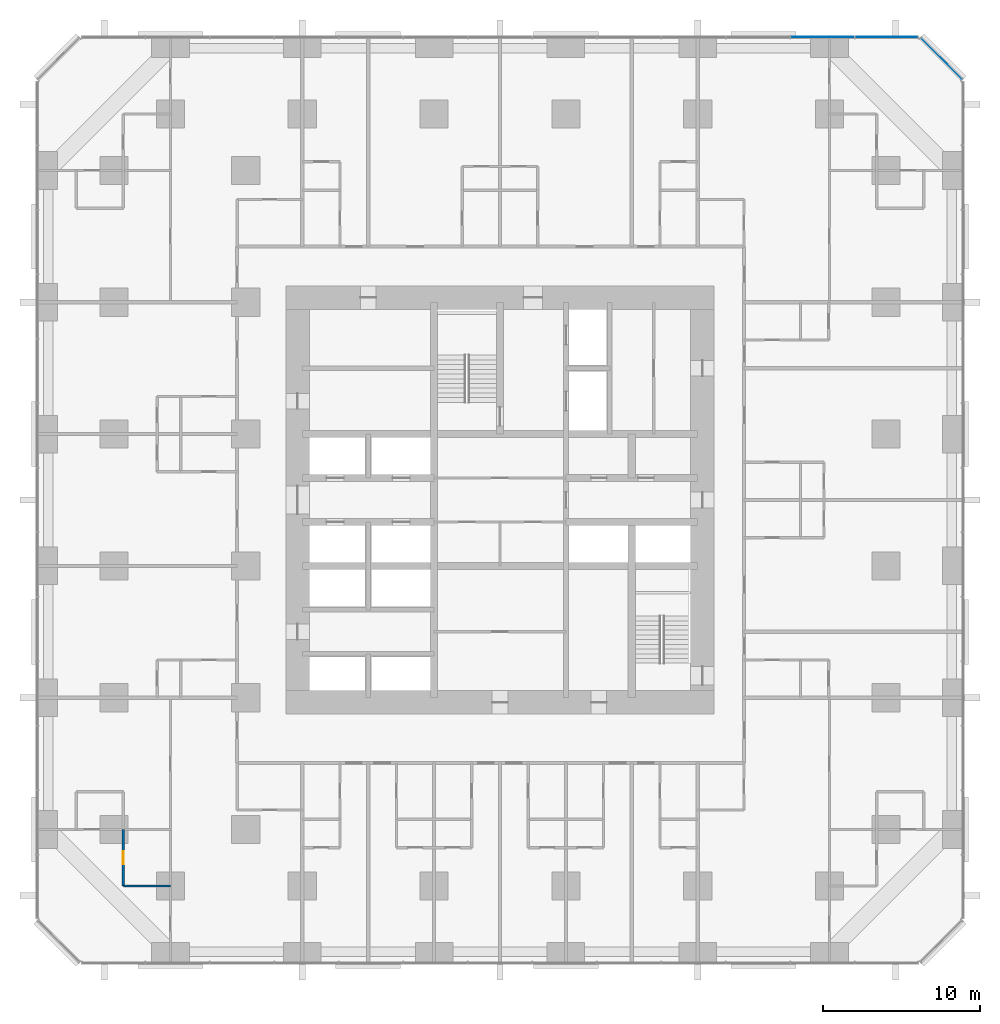
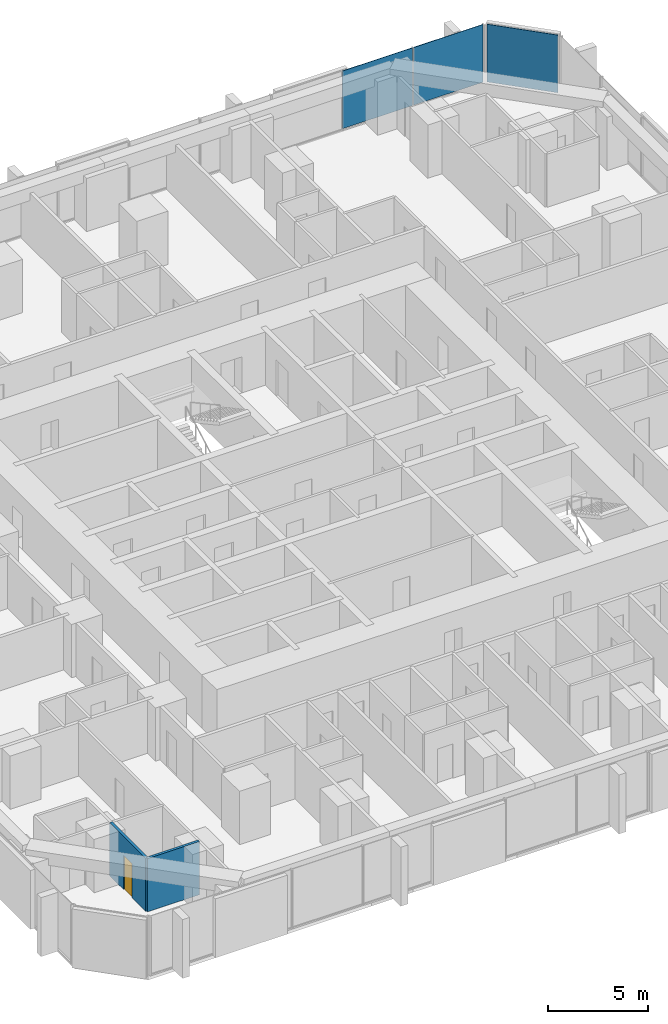
# One storey, part 10 of 17: 3 plates, 2 walls, 1 door, 1 opening, 2 elements without a shape of their own.
"""IFC4 building model written with IfcOpenShell, lengths in metres."""

from ifc_helpers import new_model, si_unit, direction, frame, frame_2d, origin, origin_2d, place, context, subcontext, project, spatial, rectangle, extrude, material, layer, layer_set, type_object, element, fill, aggregate, save


model = new_model("IFC4")

# Units and contexts
model_context = context("Model", 3, precision=1e-05, world=origin(), true_north=direction((0.0, 1.0)))
body_context = subcontext(model_context, "Body", "Model", "MODEL_VIEW")
ifc_project = project(units=[si_unit("LENGTHUNIT", "METRE"), si_unit("AREAUNIT", "SQUARE_METRE"), si_unit("VOLUMEUNIT", "CUBIC_METRE"), si_unit("PLANEANGLEUNIT", "RADIAN"), si_unit("MASSUNIT", "GRAM", prefix="KILO")], contexts=[model_context])

# Site, building, storey
site_placement = place(None, origin())
site = spatial("IfcSite", under=ifc_project, at=site_placement, CompositionType="ELEMENT")
building_placement = place(site_placement, origin())
building = spatial("IfcBuilding", under=site, at=building_placement, Name="Dunama Terrace Hotel", CompositionType="ELEMENT")
storey_placement = place(building_placement, frame((0.0, 0.0, 70.199951171875)))
storey = spatial("IfcBuildingStorey", under=building, at=storey_placement, Name="L17", CompositionType="ELEMENT", Elevation=70.199951171875)

# Curtain wall, plates
ifc_material_1 = material(Name="Aluminium curtain wall system", Category="aluminium")
curtain_wall_type = type_object("IfcCurtainWallType", Name="Unitised fritted glass wall CW-A", PredefinedType="NOTDEFINED", material=ifc_material_1)
curtain_wall_1_placement = place(storey_placement, origin())
curtain_wall_1 = element("IfcCurtainWall", 1, at=curtain_wall_1_placement, inside=storey, type_object=curtain_wall_type, Name="Unitised fritted glass wall CW-A L17", PredefinedType="NOTDEFINED")
ifc_material_2 = material(Name="Laminated glass", Category="glass")
ifc_layer_1 = layer(ifc_material_2, 0.030029296875)
ifc_layer_set_1 = layer_set([ifc_layer_1], Name="CWA clear glass panel")
plate_type_1 = type_object("IfcPlateType", Name="CWA clear glass panel", PredefinedType="CURTAIN_PANEL", material=ifc_layer_set_1)
plate_1_placement = place(storey_placement, frame((49.93798828125, 58.89990234375, 0.0751953125), z_axis=(0.0, 0.0, 1.0), x_axis=(-1.0, 0.0, 0.0)))
plate_1 = element("IfcPlate", 2, at=plate_1_placement, type_object=plate_type_1, Name="CWA clear glass panel", PredefinedType="CURTAIN_PANEL", context=body_context, shape_type="SweptSolid", body=[
    extrude(rectangle(XDim=4.042724609375, YDim=0.030029296875, at=origin_2d()), origin(), (0.0, 0.0, 1.0), 3.52490234375),
])
ifc_material_3 = material(Name="Fritted laminated glass", Category="glass")
ifc_layer_2 = layer(ifc_material_3, 0.030029296875)
ifc_layer_set_2 = layer_set([ifc_layer_2], Name="CWA fritted glass panel")
plate_type_2 = type_object("IfcPlateType", Name="CWA fritted glass panel", PredefinedType="CURTAIN_PANEL", material=ifc_layer_set_2)
plate_2_placement = place(storey_placement, frame((54.030029296875, 58.89990234375, 0.0751953125), z_axis=(0.0, 0.0, 1.0), x_axis=(-1.0, 0.0, 0.0)))
plate_2 = element("IfcPlate", 3, at=plate_2_placement, type_object=plate_type_2, Name="CWA fritted glass panel", PredefinedType="CURTAIN_PANEL", context=body_context, shape_type="SweptSolid", body=[
    extrude(rectangle(XDim=4.01025390625, YDim=0.030029296875, at=origin_2d()), origin(), (0.0, 0.0, 1.0), 3.52490234375),
])
aggregate(curtain_wall_1, [plate_2, plate_1])

# Curtain wall, plate
curtain_wall_2_placement = place(storey_placement, origin())
curtain_wall_2 = element("IfcCurtainWall", 4, at=curtain_wall_2_placement, inside=storey, type_object=curtain_wall_type, Name="Unitised fritted glass wall CW-A L17", PredefinedType="NOTDEFINED")
ifc_material_4 = material(Name="Laminated glass", Category="glass")
ifc_layer_3 = layer(ifc_material_4, 0.030029296875)
ifc_layer_set_3 = layer_set([ifc_layer_3], Name="CWA operable glass panel")
plate_type_3 = type_object("IfcPlateType", Name="CWA operable glass panel", PredefinedType="CURTAIN_PANEL", material=ifc_layer_set_3)
plate_3_placement = place(storey_placement, frame((57.52099609375, 57.52099609375, 0.0751953125), z_axis=(0.0, 0.0, 1.0), x_axis=(-0.707106781187, 0.707106781187, 0.0)))
plate_3 = element("IfcPlate", 5, at=plate_3_placement, type_object=plate_type_3, Name="CWA operable glass panel", PredefinedType="CURTAIN_PANEL", context=body_context, shape_type="SweptSolid", body=[
    extrude(rectangle(XDim=3.6884765625, YDim=0.030029296875, at=origin_2d()), origin(), (0.0, 0.0, 1.0), 3.52490234375),
])
aggregate(curtain_wall_2, [plate_3])

# Wall, opening, door
ifc_material_5 = material(Name="Gypsum board partition", Category="masonry")
ifc_layer_4 = layer(ifc_material_5, 0.14990234375)
ifc_layer_set_4 = layer_set([ifc_layer_4], Name="Bathroom partition 150")
wall_type = type_object("IfcWallType", Name="Bathroom partition 150", PredefinedType="PARTITIONING", material=ifc_layer_set_4)
wall_1_placement = place(storey_placement, frame((5.39990234375, 4.800048828125, 0.0), z_axis=(0.0, 0.0, 1.0), x_axis=(0.0, 1.0, 0.0)))
wall_1 = element("IfcWall", 6, at=wall_1_placement, inside=storey, type_object=wall_type, Name="Bathroom partition 150 L17", PredefinedType="PARTITIONING", context=body_context, shape_type="SweptSolid", body=[
    extrude(rectangle(XDim=3.599853515625, YDim=0.14990234375, at=frame_2d((1.7998046875, 0.0))), origin(), (0.0, 0.0, 1.0), 3.25),
])
opening_placement = place(wall_1_placement, frame((1.375, 0.0, 0.0)))
opening = element("IfcOpeningElement", 7, at=opening_placement, cuts=wall_1, Name="Opening L17-19-063", PredefinedType="OPENING", context=body_context, shape_type="SweptSolid", body=[
    extrude(rectangle(XDim=0.85009765625, YDim=2.10009765625, at=frame_2d((0.425048828125, 1.050048828125))), frame((0.0, 0.0849609375, 0.0), z_axis=(0.0, -1.0, 0.0), x_axis=(1.0, 0.0, 0.0)), (0.0, 0.0, 1.0), 0.169921875),
])
ifc_material_6 = material(Name="Timber door with steel frame", Category="steel")
door_type = type_object("IfcDoorType", Name="Bathroom door 850", OperationType="SINGLE_SWING_LEFT", PredefinedType="DOOR", material=ifc_material_6)
door_placement = place(opening_placement, frame((0.85009765625, 0.0, 0.0), z_axis=(0.0, 0.0, 1.0), x_axis=(-1.0, 0.0, 0.0)))
door = element("IfcDoor", 8, at=door_placement, inside=storey, type_object=door_type, Name="Door to en-suite bathroom L17-19-063, type D2", OperationType="SINGLE_SWING_LEFT", OverallHeight=2.10009765625, OverallWidth=0.85009765625, PredefinedType="DOOR", context=body_context, shape_type="SweptSolid", body=[
    extrude(rectangle(XDim=0.85009765625, YDim=2.10009765625, at=frame_2d((0.425048828125, 1.050048828125))), frame((0.0, 0.025146484375, 0.0), z_axis=(0.0, -1.0, 0.0), x_axis=(1.0, 0.0, 0.0)), (0.0, 0.0, 1.0), 0.050048828125),
])
fill(opening, door)

# Wall
wall_2_placement = place(storey_placement, frame((5.39990234375, 4.800048828125, 0.0), z_axis=(0.0, 0.0, 1.0), x_axis=(1.0, 0.0, 0.0)))
element("IfcWall", 9, at=wall_2_placement, inside=storey, type_object=wall_type, Name="Bathroom partition 150 L17", PredefinedType="PARTITIONING", context=body_context, shape_type="SweptSolid", body=[
    extrude(rectangle(XDim=3.0, YDim=0.14990234375, at=frame_2d((1.5, 0.0))), origin(), (0.0, 0.0, 1.0), 3.25),
])

save(model, "model.ifc")
